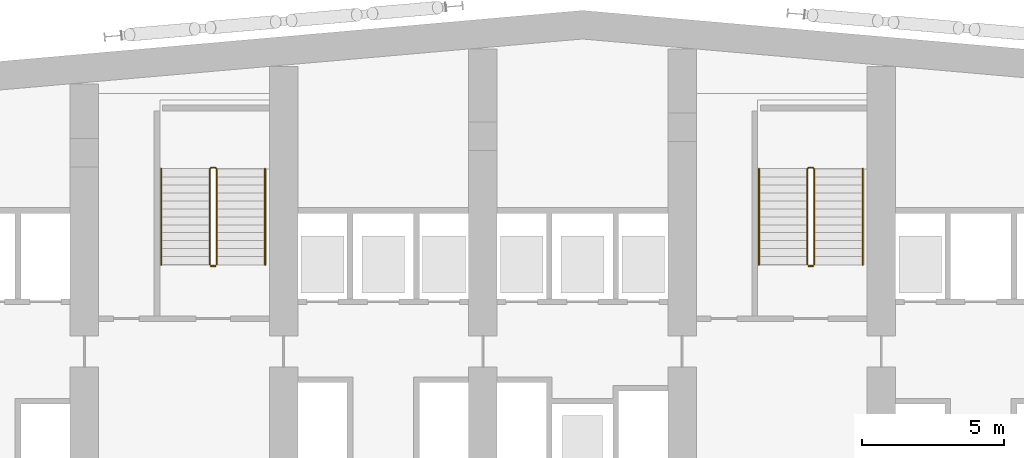
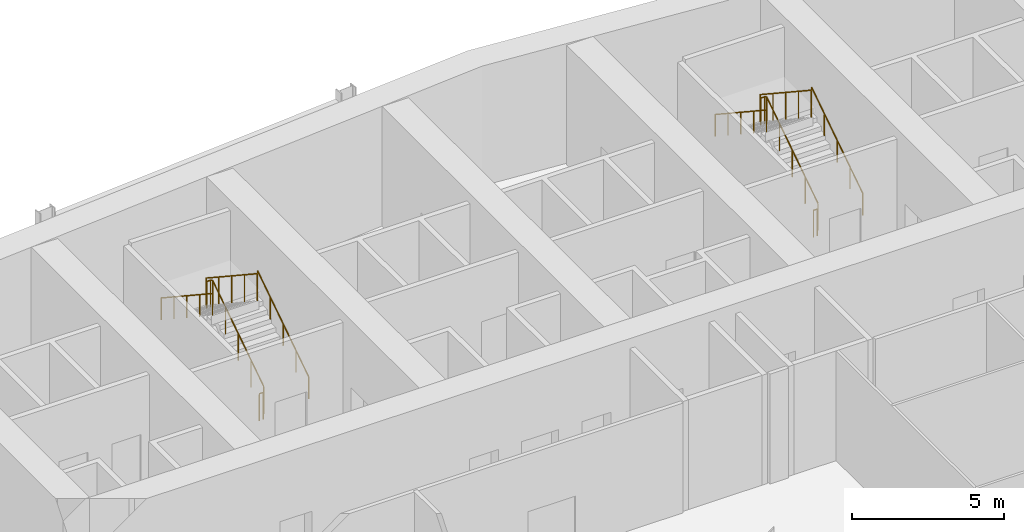
# One storey, part 40 of 42: 8 railings.
"""IFC4 building model written with IfcOpenShell, lengths in metres."""

from ifc_helpers import new_model, si_unit, direction, frame, origin, origin_2d, place, context, subcontext, project, spatial, circle, extrude, material, type_object, element, save


model = new_model("IFC4")

# Units and contexts
model_context = context("Model", 3, precision=1e-05, world=origin(), true_north=direction((0.0, 1.0)))
body_context = subcontext(model_context, "Body", "Model", "MODEL_VIEW")
ifc_project = project(units=[si_unit("LENGTHUNIT", "METRE"), si_unit("AREAUNIT", "SQUARE_METRE"), si_unit("VOLUMEUNIT", "CUBIC_METRE"), si_unit("PLANEANGLEUNIT", "RADIAN"), si_unit("MASSUNIT", "GRAM", prefix="KILO")], contexts=[model_context])

# Site, building, storey
site_placement = place(None, origin())
site = spatial("IfcSite", under=ifc_project, at=site_placement, CompositionType="ELEMENT")
building_placement = place(site_placement, origin())
building = spatial("IfcBuilding", under=site, at=building_placement, Name="Wharfspan Tower", CompositionType="ELEMENT")
storey_placement = place(building_placement, frame((0.0, 0.0, 147.100098)))
storey = spatial("IfcBuildingStorey", under=building, at=storey_placement, Name="L35", CompositionType="ELEMENT", Elevation=147.100098)

# Railings
ifc_material = material(Name="Steel S355J2", Category="steel")
railing_type_1 = type_object("IfcRailingType", Name="Stair guard 1100", PredefinedType="GUARDRAIL", material=ifc_material)
railing_1_placement = place(storey_placement, frame((27.649902, 42.0, 0.18457)))
element("IfcRailing", 1, at=railing_1_placement, inside=storey, type_object=railing_type_1, Name="L35 ST1 stair guard 1", PredefinedType="GUARDRAIL", context=body_context, shape_type="SweptSolid", body=[
    extrude(circle(Radius=0.023926, at=origin_2d()), frame((0.0, 0.0, 1.076172), z_axis=(0.0, 0.834876, 0.550437), x_axis=(-1.0, 0.0, 0.0)), (0.0, 0.0, 1.0), 4.024658),
    extrude(circle(Radius=0.023926, at=origin_2d()), frame((0.0, 3.360107, 3.291504), z_axis=(-0.707107, 0.707107, 0.0), x_axis=(-0.707107, -0.707107, 0.0)), (0.0, 0.0, 1.0), 0.070312),
    extrude(circle(Radius=0.023926, at=origin_2d()), frame((-0.049805, 3.409912, 3.291504), z_axis=(-1.0, 0.0, 0.0), x_axis=(0.0, -1.0, 0.0)), (0.0, 0.0, 1.0), 0.150146),
    extrude(circle(Radius=0.023926, at=origin_2d()), frame((-0.199951, 3.409912, 3.291504), z_axis=(-0.253265, -0.252029, 0.933991), x_axis=(0.705374, -0.708837, -1e-06)), (0.0, 0.0, 1.0), 0.19751),
    extrude(circle(Radius=0.023926, at=origin_2d()), frame((-0.25, 3.360107, 3.476074), z_axis=(0.0, -0.834876, 0.550437), x_axis=(1.0, 0.0, 0.0)), (0.0, 0.0, 1.0), 4.024658),
    extrude(circle(Radius=0.020996, at=origin_2d()), origin(), (0.0, 0.0, 1.0), 1.052002),
    extrude(circle(Radius=0.020996, at=origin_2d()), frame((0.0, 0.840088, 0.553711)), (0.0, 0.0, 1.0), 1.052002),
    extrude(circle(Radius=0.020996, at=origin_2d()), frame((0.0, 1.680176, 1.107666)), (0.0, 0.0, 1.0), 1.052002),
    extrude(circle(Radius=0.020996, at=origin_2d()), frame((0.0, 2.52002, 1.661621)), (0.0, 0.0, 1.0), 1.052002),
    extrude(circle(Radius=0.020996, at=origin_2d()), frame((0.0, 3.360107, 2.215332)), (0.0, 0.0, 1.0), 1.052002),
    extrude(circle(Radius=0.020996, at=origin_2d()), frame((-0.049805, 3.409912, 2.215332)), (0.0, 0.0, 1.0), 1.052002),
    extrude(circle(Radius=0.020996, at=origin_2d()), frame((-0.199951, 3.409912, 2.215332)), (0.0, 0.0, 1.0), 1.052002),
    extrude(circle(Radius=0.020996, at=origin_2d()), frame((-0.25, 3.360107, 2.399902)), (0.0, 0.0, 1.0), 1.052002),
    extrude(circle(Radius=0.020996, at=origin_2d()), frame((-0.25, 2.52002, 2.953613)), (0.0, 0.0, 1.0), 1.052002),
    extrude(circle(Radius=0.020996, at=origin_2d()), frame((-0.25, 1.680176, 3.507568)), (0.0, 0.0, 1.0), 1.052002),
    extrude(circle(Radius=0.020996, at=origin_2d()), frame((-0.25, 0.840088, 4.061523)), (0.0, 0.0, 1.0), 1.052002),
    extrude(circle(Radius=0.020996, at=origin_2d()), frame((-0.25, 0.0, 4.615234)), (0.0, 0.0, 1.0), 1.052002),
])
railing_2_placement = place(storey_placement, frame((27.600098, 41.949951, 0.0)))
element("IfcRailing", 2, at=railing_2_placement, inside=storey, type_object=railing_type_1, Name="L35 ST1 stair guard 2", PredefinedType="GUARDRAIL", context=body_context, shape_type="SweptSolid", body=[
    extrude(circle(Radius=0.023926, at=origin_2d()), frame((0.0, 0.0, 1.076172), z_axis=(-1.0, 0.0, 0.0), x_axis=(0.0, -1.0, 0.0)), (0.0, 0.0, 1.0), 0.150146),
    extrude(circle(Radius=0.020996, at=origin_2d()), origin(), (0.0, 0.0, 1.0), 1.052002),
    extrude(circle(Radius=0.020996, at=origin_2d()), frame((-0.150146, 0.0, 0.0)), (0.0, 0.0, 1.0), 1.052002),
])
railing_3_placement = place(storey_placement, frame((48.649902, 42.0, 0.18457)))
element("IfcRailing", 3, at=railing_3_placement, inside=storey, type_object=railing_type_1, Name="L35 ST2 stair guard 1", PredefinedType="GUARDRAIL", context=body_context, shape_type="SweptSolid", body=[
    extrude(circle(Radius=0.023926, at=origin_2d()), frame((0.0, 0.0, 1.076172), z_axis=(0.0, 0.834876, 0.550437), x_axis=(-1.0, 0.0, 0.0)), (0.0, 0.0, 1.0), 4.024658),
    extrude(circle(Radius=0.023926, at=origin_2d()), frame((0.0, 3.360107, 3.291504), z_axis=(-0.707107, 0.707107, 0.0), x_axis=(-0.707107, -0.707107, 0.0)), (0.0, 0.0, 1.0), 0.070312),
    extrude(circle(Radius=0.023926, at=origin_2d()), frame((-0.049805, 3.409912, 3.291504), z_axis=(-1.0, 0.0, 0.0), x_axis=(0.0, -1.0, 0.0)), (0.0, 0.0, 1.0), 0.150146),
    extrude(circle(Radius=0.023926, at=origin_2d()), frame((-0.199951, 3.409912, 3.291504), z_axis=(-0.253265, -0.252029, 0.933991), x_axis=(0.705374, -0.708837, -1e-06)), (0.0, 0.0, 1.0), 0.19751),
    extrude(circle(Radius=0.023926, at=origin_2d()), frame((-0.25, 3.360107, 3.476074), z_axis=(0.0, -0.834876, 0.550437), x_axis=(1.0, 0.0, 0.0)), (0.0, 0.0, 1.0), 4.024658),
    extrude(circle(Radius=0.020996, at=origin_2d()), origin(), (0.0, 0.0, 1.0), 1.052002),
    extrude(circle(Radius=0.020996, at=origin_2d()), frame((0.0, 0.840088, 0.553711)), (0.0, 0.0, 1.0), 1.052002),
    extrude(circle(Radius=0.020996, at=origin_2d()), frame((0.0, 1.680176, 1.107666)), (0.0, 0.0, 1.0), 1.052002),
    extrude(circle(Radius=0.020996, at=origin_2d()), frame((0.0, 2.52002, 1.661621)), (0.0, 0.0, 1.0), 1.052002),
    extrude(circle(Radius=0.020996, at=origin_2d()), frame((0.0, 3.360107, 2.215332)), (0.0, 0.0, 1.0), 1.052002),
    extrude(circle(Radius=0.020996, at=origin_2d()), frame((-0.049805, 3.409912, 2.215332)), (0.0, 0.0, 1.0), 1.052002),
    extrude(circle(Radius=0.020996, at=origin_2d()), frame((-0.199951, 3.409912, 2.215332)), (0.0, 0.0, 1.0), 1.052002),
    extrude(circle(Radius=0.020996, at=origin_2d()), frame((-0.25, 3.360107, 2.399902)), (0.0, 0.0, 1.0), 1.052002),
    extrude(circle(Radius=0.020996, at=origin_2d()), frame((-0.25, 2.52002, 2.953613)), (0.0, 0.0, 1.0), 1.052002),
    extrude(circle(Radius=0.020996, at=origin_2d()), frame((-0.25, 1.680176, 3.507568)), (0.0, 0.0, 1.0), 1.052002),
    extrude(circle(Radius=0.020996, at=origin_2d()), frame((-0.25, 0.840088, 4.061523)), (0.0, 0.0, 1.0), 1.052002),
    extrude(circle(Radius=0.020996, at=origin_2d()), frame((-0.25, 0.0, 4.615234)), (0.0, 0.0, 1.0), 1.052002),
])
railing_4_placement = place(storey_placement, frame((48.600098, 41.949951, 0.0)))
element("IfcRailing", 4, at=railing_4_placement, inside=storey, type_object=railing_type_1, Name="L35 ST2 stair guard 2", PredefinedType="GUARDRAIL", context=body_context, shape_type="SweptSolid", body=[
    extrude(circle(Radius=0.023926, at=origin_2d()), frame((0.0, 0.0, 1.076172), z_axis=(-1.0, 0.0, 0.0), x_axis=(0.0, -1.0, 0.0)), (0.0, 0.0, 1.0), 0.150146),
    extrude(circle(Radius=0.020996, at=origin_2d()), origin(), (0.0, 0.0, 1.0), 1.052002),
    extrude(circle(Radius=0.020996, at=origin_2d()), frame((-0.150146, 0.0, 0.0)), (0.0, 0.0, 1.0), 1.052002),
])
railing_type_2 = type_object("IfcRailingType", Name="Stair handrail 900", PredefinedType="HANDRAIL", material=ifc_material)
railing_5_placement = place(storey_placement, frame((29.350098, 42.0, 0.18457)))
element("IfcRailing", 5, at=railing_5_placement, inside=storey, type_object=railing_type_2, Name="L35 ST1 stair handrail 1", PredefinedType="HANDRAIL", context=body_context, shape_type="SweptSolid", body=[
    extrude(circle(Radius=0.023926, at=origin_2d()), frame((0.0, 0.0, 0.875977), z_axis=(0.0, 0.834876, 0.550437), x_axis=(-1.0, 0.0, 0.0)), (0.0, 0.0, 1.0), 4.024658),
    extrude(circle(Radius=0.020996, at=origin_2d()), origin(), (0.0, 0.0, 1.0), 0.851807),
    extrude(circle(Radius=0.020996, at=origin_2d()), frame((0.0, 0.840088, 0.553711)), (0.0, 0.0, 1.0), 0.851807),
    extrude(circle(Radius=0.020996, at=origin_2d()), frame((0.0, 1.680176, 1.107666)), (0.0, 0.0, 1.0), 0.851807),
    extrude(circle(Radius=0.020996, at=origin_2d()), frame((0.0, 2.52002, 1.661621)), (0.0, 0.0, 1.0), 0.851807),
    extrude(circle(Radius=0.020996, at=origin_2d()), frame((0.0, 3.360107, 2.215332)), (0.0, 0.0, 1.0), 0.851807),
])
railing_6_placement = place(storey_placement, frame((25.699951, 45.360107, 2.584473)))
element("IfcRailing", 6, at=railing_6_placement, inside=storey, type_object=railing_type_2, Name="L35 ST1 stair handrail 2", PredefinedType="HANDRAIL", context=body_context, shape_type="SweptSolid", body=[
    extrude(circle(Radius=0.023926, at=origin_2d()), frame((0.0, 0.0, 0.875977), z_axis=(0.0, -0.834876, 0.550437), x_axis=(1.0, 0.0, 0.0)), (0.0, 0.0, 1.0), 4.024658),
    extrude(circle(Radius=0.020996, at=origin_2d()), origin(), (0.0, 0.0, 1.0), 0.851807),
    extrude(circle(Radius=0.020996, at=origin_2d()), frame((0.0, -0.840088, 0.553711)), (0.0, 0.0, 1.0), 0.851807),
    extrude(circle(Radius=0.020996, at=origin_2d()), frame((0.0, -1.680176, 1.107666)), (0.0, 0.0, 1.0), 0.851807),
    extrude(circle(Radius=0.020996, at=origin_2d()), frame((0.0, -2.52002, 1.661621)), (0.0, 0.0, 1.0), 0.851807),
    extrude(circle(Radius=0.020996, at=origin_2d()), frame((0.0, -3.360107, 2.215332)), (0.0, 0.0, 1.0), 0.851807),
])
railing_7_placement = place(storey_placement, frame((50.350098, 42.0, 0.18457)))
element("IfcRailing", 7, at=railing_7_placement, inside=storey, type_object=railing_type_2, Name="L35 ST2 stair handrail 1", PredefinedType="HANDRAIL", context=body_context, shape_type="SweptSolid", body=[
    extrude(circle(Radius=0.023926, at=origin_2d()), frame((0.0, 0.0, 0.875977), z_axis=(0.0, 0.834876, 0.550437), x_axis=(-1.0, 0.0, 0.0)), (0.0, 0.0, 1.0), 4.024658),
    extrude(circle(Radius=0.020996, at=origin_2d()), origin(), (0.0, 0.0, 1.0), 0.851807),
    extrude(circle(Radius=0.020996, at=origin_2d()), frame((0.0, 0.840088, 0.553711)), (0.0, 0.0, 1.0), 0.851807),
    extrude(circle(Radius=0.020996, at=origin_2d()), frame((0.0, 1.680176, 1.107666)), (0.0, 0.0, 1.0), 0.851807),
    extrude(circle(Radius=0.020996, at=origin_2d()), frame((0.0, 2.52002, 1.661621)), (0.0, 0.0, 1.0), 0.851807),
    extrude(circle(Radius=0.020996, at=origin_2d()), frame((0.0, 3.360107, 2.215332)), (0.0, 0.0, 1.0), 0.851807),
])
railing_8_placement = place(storey_placement, frame((46.699951, 45.360107, 2.584473)))
element("IfcRailing", 8, at=railing_8_placement, inside=storey, type_object=railing_type_2, Name="L35 ST2 stair handrail 2", PredefinedType="HANDRAIL", context=body_context, shape_type="SweptSolid", body=[
    extrude(circle(Radius=0.023926, at=origin_2d()), frame((0.0, 0.0, 0.875977), z_axis=(0.0, -0.834876, 0.550437), x_axis=(1.0, 0.0, 0.0)), (0.0, 0.0, 1.0), 4.024658),
    extrude(circle(Radius=0.020996, at=origin_2d()), origin(), (0.0, 0.0, 1.0), 0.851807),
    extrude(circle(Radius=0.020996, at=origin_2d()), frame((0.0, -0.840088, 0.553711)), (0.0, 0.0, 1.0), 0.851807),
    extrude(circle(Radius=0.020996, at=origin_2d()), frame((0.0, -1.680176, 1.107666)), (0.0, 0.0, 1.0), 0.851807),
    extrude(circle(Radius=0.020996, at=origin_2d()), frame((0.0, -2.52002, 1.661621)), (0.0, 0.0, 1.0), 0.851807),
    extrude(circle(Radius=0.020996, at=origin_2d()), frame((0.0, -3.360107, 2.215332)), (0.0, 0.0, 1.0), 0.851807),
])

save(model, "model.ifc")
